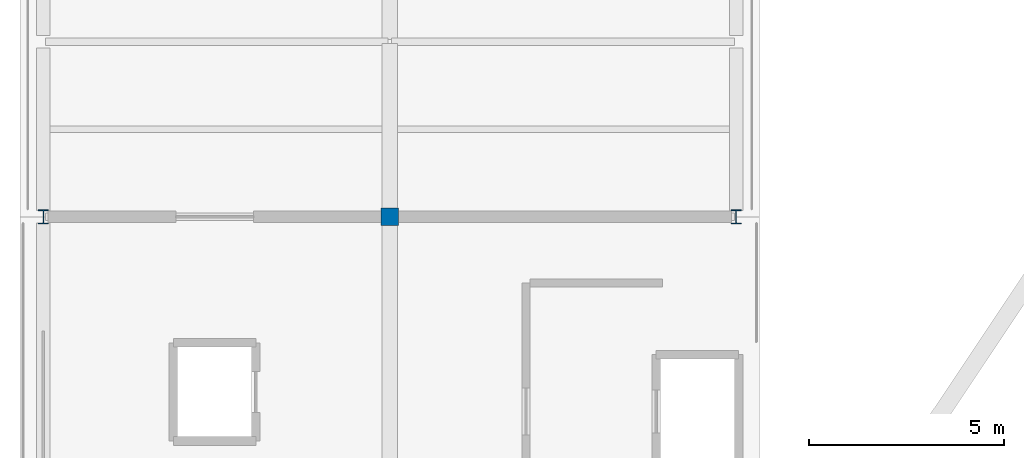
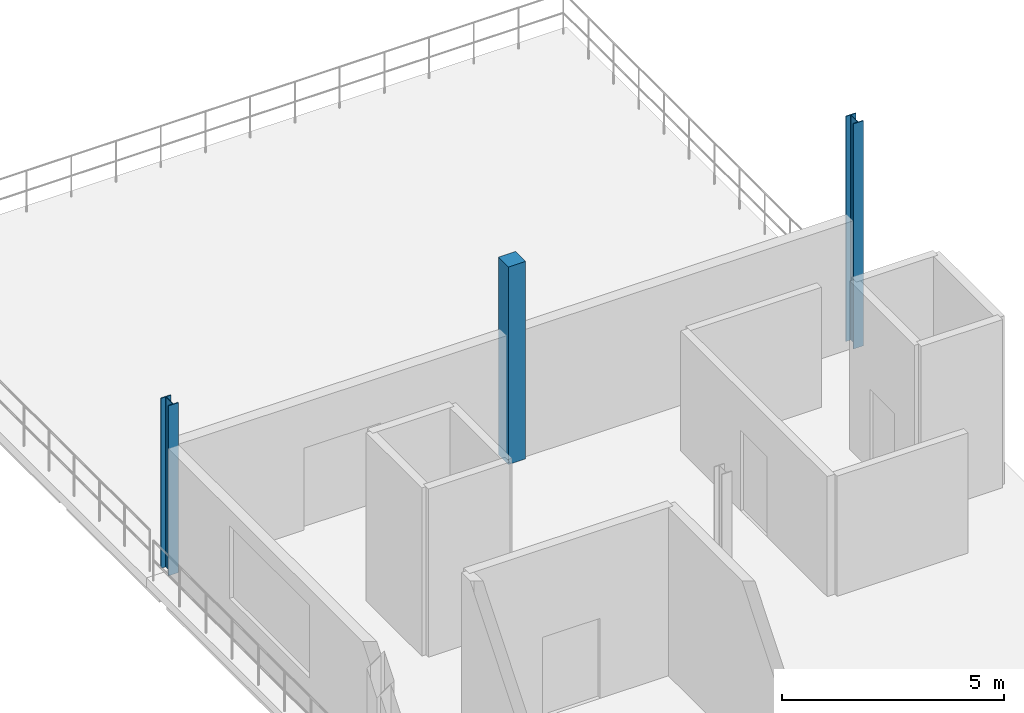
# One storey, part 8 of 29: 3 columns.
"""IFC4 building model written with IfcOpenShell, lengths in metres."""

from ifc_helpers import new_model, si_unit, direction, frame, origin, origin_2d, place, context, subcontext, project, spatial, rectangle, i_section, extrude, material, material_profile, profile_set, type_object, element, save


model = new_model("IFC4")

# Units and contexts
model_context = context("Model", 3, precision=1e-05, world=origin(), true_north=direction((0.0, 1.0)))
body_context = subcontext(model_context, "Body", "Model", "MODEL_VIEW")
ifc_project = project(units=[si_unit("LENGTHUNIT", "METRE"), si_unit("AREAUNIT", "SQUARE_METRE"), si_unit("VOLUMEUNIT", "CUBIC_METRE"), si_unit("PLANEANGLEUNIT", "RADIAN"), si_unit("MASSUNIT", "GRAM", prefix="KILO")], contexts=[model_context])

# Site, building, storey
site_placement = place(None, origin())
site = spatial("IfcSite", under=ifc_project, at=site_placement, CompositionType="ELEMENT")
building_placement = place(site_placement, origin())
building = spatial("IfcBuilding", under=site, at=building_placement, Name="Candeia Ridge Stadium", CompositionType="ELEMENT")
storey_placement = place(building_placement, frame((0.0, 0.0, 27.0)))
storey = spatial("IfcBuildingStorey", under=building, at=storey_placement, Name="L05", CompositionType="ELEMENT", Elevation=27.0)

# Columns
ifc_material_1 = material(Name="Steel ASTM A572 Grade 50", Category="steel")
ifc_material_profile_1 = material_profile(ifc_material_1, i_section(OverallWidth=0.257080078125, OverallDepth=0.363037109375, WebThickness=0.012939453125, FlangeThickness=0.021728515625, FilletRadius=0.014892578125, at=origin_2d()), Name="W360x122", Category="steel")
ifc_profile_set_1 = profile_set([ifc_material_profile_1], Name="Steel ASTM A572 Grade 50")
column_type_1 = type_object("IfcColumnType", Name="Gate Steel Column W360x122", PredefinedType="COLUMN", material=ifc_profile_set_1)
column_1_placement = place(storey_placement, frame((0.60009765625, 121.0, 0.0), z_axis=(0.0, 0.0, 1.0), x_axis=(1.0, 0.0, 0.0)))
element("IfcColumn", 1, at=column_1_placement, inside=storey, type_object=column_type_1, Name="Structural column WP-00-11 L05", PredefinedType="COLUMN", context=body_context, shape_type="SweptSolid", body=[
    extrude(i_section(OverallWidth=0.257080078125, OverallDepth=0.363037109375, WebThickness=0.012939453125, FlangeThickness=0.021728515625, FilletRadius=0.014892578125, at=origin_2d()), origin(), (0.0, 0.0, 1.0), 4.671142578125),
])
column_2_placement = place(storey_placement, frame((18.39990234375, 121.0, 0.0), z_axis=(0.0, 0.0, 1.0), x_axis=(1.0, 0.0, 0.0)))
element("IfcColumn", 2, at=column_2_placement, inside=storey, type_object=column_type_1, Name="Structural column WP-02-11 L05", PredefinedType="COLUMN", context=body_context, shape_type="SweptSolid", body=[
    extrude(i_section(OverallWidth=0.257080078125, OverallDepth=0.363037109375, WebThickness=0.012939453125, FlangeThickness=0.021728515625, FilletRadius=0.014892578125, at=origin_2d()), origin(), (0.0, 0.0, 1.0), 6.18603515625),
])
ifc_material_2 = material(Name="Concrete C40/50", Category="concrete")
ifc_material_profile_2 = material_profile(ifc_material_2, rectangle(XDim=0.449951171875, YDim=0.449951171875, at=origin_2d()), Name="RC450x450", Category="concrete")
ifc_profile_set_2 = profile_set([ifc_material_profile_2], Name="Concrete C40/50")
column_type_2 = type_object("IfcColumnType", Name="Reinforced Concrete Column RC450x450", PredefinedType="COLUMN", material=ifc_profile_set_2)
column_3_placement = place(storey_placement, frame((9.5, 121.0, 0.0), z_axis=(0.0, 0.0, 1.0), x_axis=(1.0, 0.0, 0.0)))
element("IfcColumn", 3, at=column_3_placement, inside=storey, type_object=column_type_2, Name="Structural column WP-01-11 L05", PredefinedType="COLUMN", context=body_context, shape_type="SweptSolid", body=[
    extrude(rectangle(XDim=0.449951171875, YDim=0.449951171875, at=origin_2d()), origin(), (0.0, 0.0, 1.0), 5.428466796875),
])

save(model, "model.ifc")
